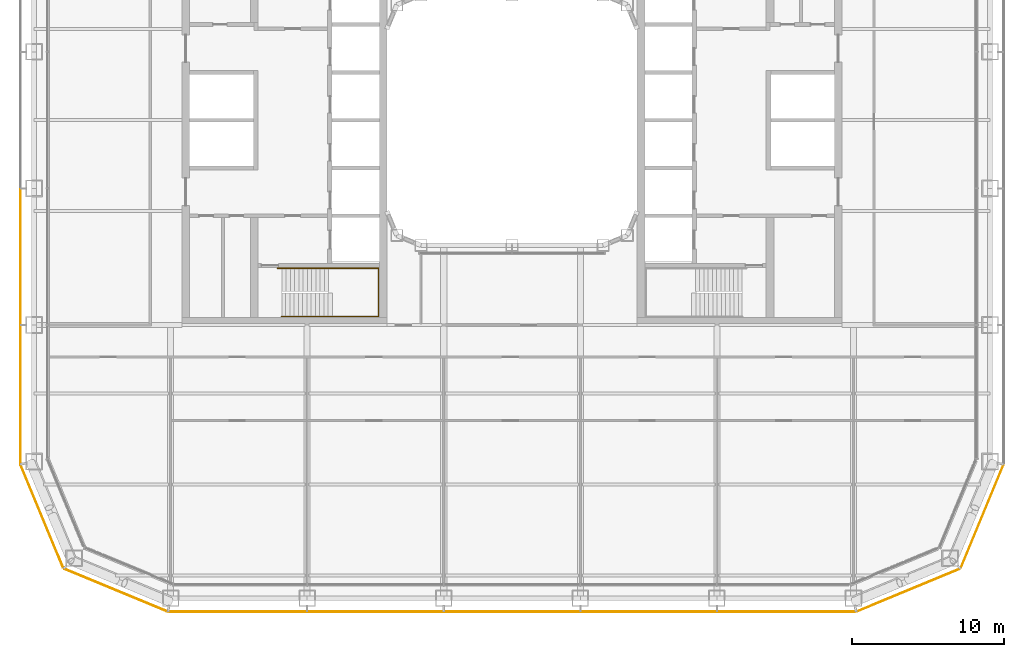
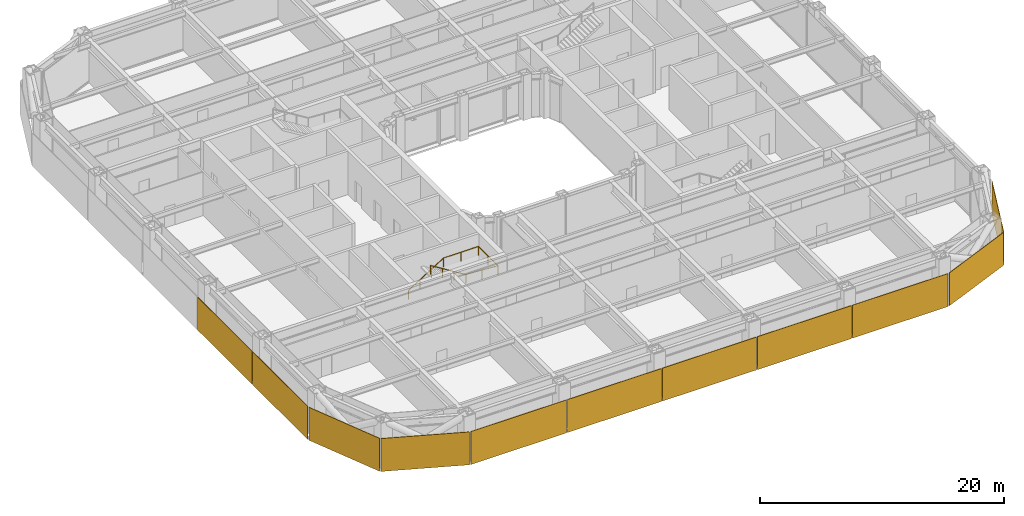
# One storey, part 20 of 24: 11 coverings, 1 railing.
"""IFC4 building model written with IfcOpenShell, lengths in metres."""

from ifc_helpers import new_model, si_unit, direction, frame, origin, origin_2d, place, context, subcontext, project, spatial, rectangle, circle, extrude, material, layer, layer_set, type_object, element, save


model = new_model("IFC4")

# Units and contexts
model_context = context("Model", 3, precision=1e-05, world=origin(), true_north=direction((0.0, 1.0)))
body_context = subcontext(model_context, "Body", "Model", "MODEL_VIEW")
ifc_project = project(units=[si_unit("LENGTHUNIT", "METRE"), si_unit("AREAUNIT", "SQUARE_METRE"), si_unit("VOLUMEUNIT", "CUBIC_METRE"), si_unit("PLANEANGLEUNIT", "RADIAN"), si_unit("MASSUNIT", "GRAM", prefix="KILO")], contexts=[model_context])

# Site, building, storey
site_placement = place(None, origin())
site = spatial("IfcSite", under=ifc_project, at=site_placement, CompositionType="ELEMENT")
building_placement = place(site_placement, origin())
building = spatial("IfcBuilding", under=site, at=building_placement, Name="Siwar Civic Tower", CompositionType="ELEMENT")
storey_placement = place(building_placement, frame((0.0, 0.0, 22.199951171875)))
storey = spatial("IfcBuildingStorey", under=building, at=storey_placement, Name="L04", CompositionType="ELEMENT", Elevation=22.199951171875)

# Railing
ifc_material_1 = material(Name="Stainless steel", Category="steel")
railing_type = type_object("IfcRailingType", Name="CORE-STAIR-HANDRAIL", PredefinedType="HANDRAIL", material=ifc_material_1)
railing_placement = place(storey_placement, frame((-15.449951171875, -9.758056640625, 0.173095703125)))
element("IfcRailing", 1, at=railing_placement, inside=storey, type_object=railing_type, Name="Stair handrail ST2", PredefinedType="HANDRAIL", context=body_context, shape_type="SweptSolid", body=[
    extrude(circle(Radius=0.02001953125, at=origin_2d()), frame((0.0, 0.0, 0.8798828125), z_axis=(0.847063342986, 0.0, 0.531491950051), x_axis=(0.0, 1.0, 0.0)), (0.0, 0.0, 1.0), 3.90771484375),
    extrude(circle(Radius=0.02001953125, at=origin_2d()), frame((3.31005859375, 0.0, 2.956787109375), z_axis=(1.0, 0.0, 0.0), x_axis=(0.0, 1.0, 0.0)), (0.0, 0.0, 1.0), 3.331787109375),
    extrude(circle(Radius=0.02001953125, at=origin_2d()), frame((6.641845703125, 0.0, 2.956787109375), z_axis=(0.0, -1.0, 0.0), x_axis=(1.0, 0.0, 0.0)), (0.0, 0.0, 1.0), 3.183837890625),
    extrude(circle(Radius=0.02001953125, at=origin_2d()), frame((6.641845703125, -3.183837890625, 2.956787109375), z_axis=(-0.99837434197, 0.0, 0.056997134106), x_axis=(0.0, -1.0, 0.0)), (0.0, 0.0, 1.0), 3.036865234375),
    extrude(circle(Radius=0.02001953125, at=origin_2d()), frame((3.60986328125, -3.183837890625, 3.1298828125), z_axis=(-0.850606129759, 0.0, 0.525803396734), x_axis=(0.0, -1.0, 0.0)), (0.0, 0.0, 1.0), 3.949951171875),
    extrude(circle(Radius=0.02001953125, at=origin_2d()), origin(), (0.0, 0.0, 1.0), 0.85986328125),
    extrude(circle(Radius=0.02001953125, at=origin_2d()), frame((1.103271484375, 0.0, 0.6923828125)), (0.0, 0.0, 1.0), 0.85986328125),
    extrude(circle(Radius=0.02001953125, at=origin_2d()), frame((2.206787109375, 0.0, 1.384521484375)), (0.0, 0.0, 1.0), 0.85986328125),
    extrude(circle(Radius=0.02001953125, at=origin_2d()), frame((3.31005859375, 0.0, 2.076904296875)), (0.0, 0.0, 1.0), 0.85986328125),
    extrude(circle(Radius=0.02001953125, at=origin_2d()), frame((4.97607421875, 0.0, 2.076904296875)), (0.0, 0.0, 1.0), 0.85986328125),
    extrude(circle(Radius=0.02001953125, at=origin_2d()), frame((6.641845703125, 0.0, 2.076904296875)), (0.0, 0.0, 1.0), 0.85986328125),
    extrude(circle(Radius=0.02001953125, at=origin_2d()), frame((6.641845703125, -1.591796875, 2.076904296875)), (0.0, 0.0, 1.0), 0.85986328125),
    extrude(circle(Radius=0.02001953125, at=origin_2d()), frame((6.641845703125, -3.183837890625, 2.076904296875)), (0.0, 0.0, 1.0), 0.85986328125),
    extrude(circle(Radius=0.02001953125, at=origin_2d()), frame((5.1259765625, -3.183837890625, 2.16357421875)), (0.0, 0.0, 1.0), 0.85986328125),
    extrude(circle(Radius=0.02001953125, at=origin_2d()), frame((3.60986328125, -3.183837890625, 2.25)), (0.0, 0.0, 1.0), 0.85986328125),
    extrude(circle(Radius=0.02001953125, at=origin_2d()), frame((2.489990234375, -3.183837890625, 2.9423828125)), (0.0, 0.0, 1.0), 0.85986328125),
    extrude(circle(Radius=0.02001953125, at=origin_2d()), frame((1.369873046875, -3.183837890625, 3.634521484375)), (0.0, 0.0, 1.0), 0.85986328125),
    extrude(circle(Radius=0.02001953125, at=origin_2d()), frame((0.25, -3.183837890625, 4.326904296875)), (0.0, 0.0, 1.0), 0.85986328125),
])

# Coverings
ifc_material_2 = material(Name="Perforated aluminium cassette, pale metal", Category="aluminium")
ifc_layer_1 = layer(ifc_material_2, 0.044921875)
ifc_layer_set_1 = layer_set([ifc_layer_1], Name="Perforated aluminium cassette, pale metal")
covering_type_1 = type_object("IfcCoveringType", Name="ENV-OUTER SKIN OS-2", PredefinedType="CLADDING", material=ifc_layer_set_1)
covering_1_placement = place(storey_placement, frame((30.976318359375, -26.115966796875, -0.14990234375), z_axis=(0.0, 0.0, 1.0), x_axis=(0.382683432365, 0.923879532511, 0.0)))
element("IfcCovering", 2, at=covering_1_placement, inside=storey, type_object=covering_type_1, Name="OUTER SKIN OS-2 SE2 1", PredefinedType="CLADDING", context=body_context, shape_type="SweptSolid", body=[
    extrude(rectangle(XDim=7.300048828125, YDim=0.044921875, at=origin_2d()), origin(), (0.0, 0.0, 1.0), 3.300048828125),
])
ifc_material_3 = material(Name="Perforated aluminium cassette, pale metal", Category="aluminium")
ifc_layer_2 = layer(ifc_material_3, 0.050048828125)
ifc_layer_set_2 = layer_set([ifc_layer_2], Name="Perforated aluminium cassette, pale metal")
covering_type_2 = type_object("IfcCoveringType", Name="ENV-OUTER SKIN OS-3", PredefinedType="CLADDING", material=ifc_layer_set_2)
covering_2_placement = place(storey_placement, frame((26.115966796875, -30.976318359375, -0.14990234375), z_axis=(0.0, 0.0, 1.0), x_axis=(0.923879532511, 0.382683432365, 0.0)))
element("IfcCovering", 3, at=covering_2_placement, inside=storey, type_object=covering_type_2, Name="OUTER SKIN OS-3 SE1 1", PredefinedType="CLADDING", context=body_context, shape_type="SweptSolid", body=[
    extrude(rectangle(XDim=7.300048828125, YDim=0.050048828125, at=origin_2d()), origin(), (0.0, 0.0, 1.0), 3.300048828125),
])
covering_3_placement = place(storey_placement, frame((-32.39990234375, -9.0, -0.14990234375), z_axis=(0.0, 0.0, 1.0), x_axis=(0.0, -1.0, 0.0)))
element("IfcCovering", 4, at=covering_3_placement, inside=storey, type_object=covering_type_2, Name="OUTER SKIN OS-3 W 4", PredefinedType="CLADDING", context=body_context, shape_type="SweptSolid", body=[
    extrude(rectangle(XDim=8.89990234375, YDim=0.050048828125, at=origin_2d()), origin(), (0.0, 0.0, 1.0), 3.300048828125),
])
covering_4_placement = place(storey_placement, frame((-32.39990234375, -18.07958984375, -0.14990234375), z_axis=(0.0, 0.0, 1.0), x_axis=(0.0, -1.0, 0.0)))
element("IfcCovering", 5, at=covering_4_placement, inside=storey, type_object=covering_type_2, Name="OUTER SKIN OS-3 W 5", PredefinedType="CLADDING", context=body_context, shape_type="SweptSolid", body=[
    extrude(rectangle(XDim=9.05908203125, YDim=0.050048828125, at=origin_2d()), origin(), (0.0, 0.0, 1.0), 3.300048828125),
])
ifc_material_4 = material(Name="Perforated aluminium cassette, pale metal", Category="aluminium")
ifc_layer_3 = layer(ifc_material_4, 0.054931640625)
ifc_layer_set_3 = layer_set([ifc_layer_3], Name="Perforated aluminium cassette, pale metal")
covering_type_3 = type_object("IfcCoveringType", Name="ENV-OUTER SKIN OS-4", PredefinedType="CLADDING", material=ifc_layer_set_3)
covering_5_placement = place(storey_placement, frame((-18.07958984375, -32.39990234375, -0.14990234375), z_axis=(0.0, 0.0, 1.0), x_axis=(1.0, 0.0, 0.0)))
element("IfcCovering", 6, at=covering_5_placement, inside=storey, type_object=covering_type_3, Name="OUTER SKIN OS-4 S 1", PredefinedType="CLADDING", context=body_context, shape_type="SweptSolid", body=[
    extrude(rectangle(XDim=9.05908203125, YDim=0.054931640625, at=origin_2d()), origin(), (0.0, 0.0, 1.0), 3.300048828125),
])
for number, where, z_axis, x_axis, name in (
    (7, (-9.0, -32.39990234375, -0.14990234375), (0.0, 0.0, 1.0), (1.0, 0.0, 0.0), "OUTER SKIN OS-4 S 2"),
    (8, (0.0, -32.39990234375, -0.14990234375), (0.0, 0.0, 1.0), (1.0, 0.0, 0.0), "OUTER SKIN OS-4 S 3"),
    (9, (9.0, -32.39990234375, -0.14990234375), (0.0, 0.0, 1.0), (1.0, 0.0, 0.0), "OUTER SKIN OS-4 S 4"),
):
    element("IfcCovering", number, at=place(storey_placement, frame(where, z_axis=z_axis, x_axis=x_axis)), inside=storey, type_object=covering_type_3, Name=name, PredefinedType="CLADDING", context=body_context, shape_type="SweptSolid", body=[
        extrude(rectangle(XDim=8.89990234375, YDim=0.054931640625, at=origin_2d()), origin(), (0.0, 0.0, 1.0), 3.300048828125),
    ])
covering_6_placement = place(storey_placement, frame((18.07958984375, -32.39990234375, -0.14990234375), z_axis=(0.0, 0.0, 1.0), x_axis=(1.0, 0.0, 0.0)))
element("IfcCovering", 10, at=covering_6_placement, inside=storey, type_object=covering_type_3, Name="OUTER SKIN OS-4 S 5", PredefinedType="CLADDING", context=body_context, shape_type="SweptSolid", body=[
    extrude(rectangle(XDim=9.05908203125, YDim=0.054931640625, at=origin_2d()), origin(), (0.0, 0.0, 1.0), 3.300048828125),
])
for number, where, z_axis, x_axis, name in (
    (11, (-30.976318359375, -26.115966796875, -0.14990234375), (0.0, 0.0, 1.0), (0.382683432365, -0.923879532511, 0.0), "OUTER SKIN OS-4 SW1 1"),
    (12, (-26.115966796875, -30.976318359375, -0.14990234375), (0.0, 0.0, 1.0), (0.923879532511, -0.382683432365, 0.0), "OUTER SKIN OS-4 SW2 1"),
):
    element("IfcCovering", number, at=place(storey_placement, frame(where, z_axis=z_axis, x_axis=x_axis)), inside=storey, type_object=covering_type_3, Name=name, PredefinedType="CLADDING", context=body_context, shape_type="SweptSolid", body=[
        extrude(rectangle(XDim=7.300048828125, YDim=0.054931640625, at=origin_2d()), origin(), (0.0, 0.0, 1.0), 3.300048828125),
    ])

save(model, "model.ifc")
